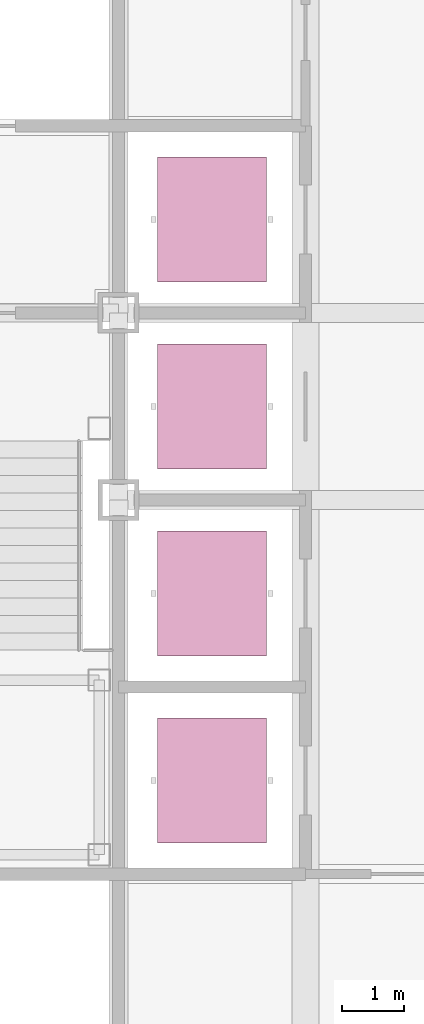
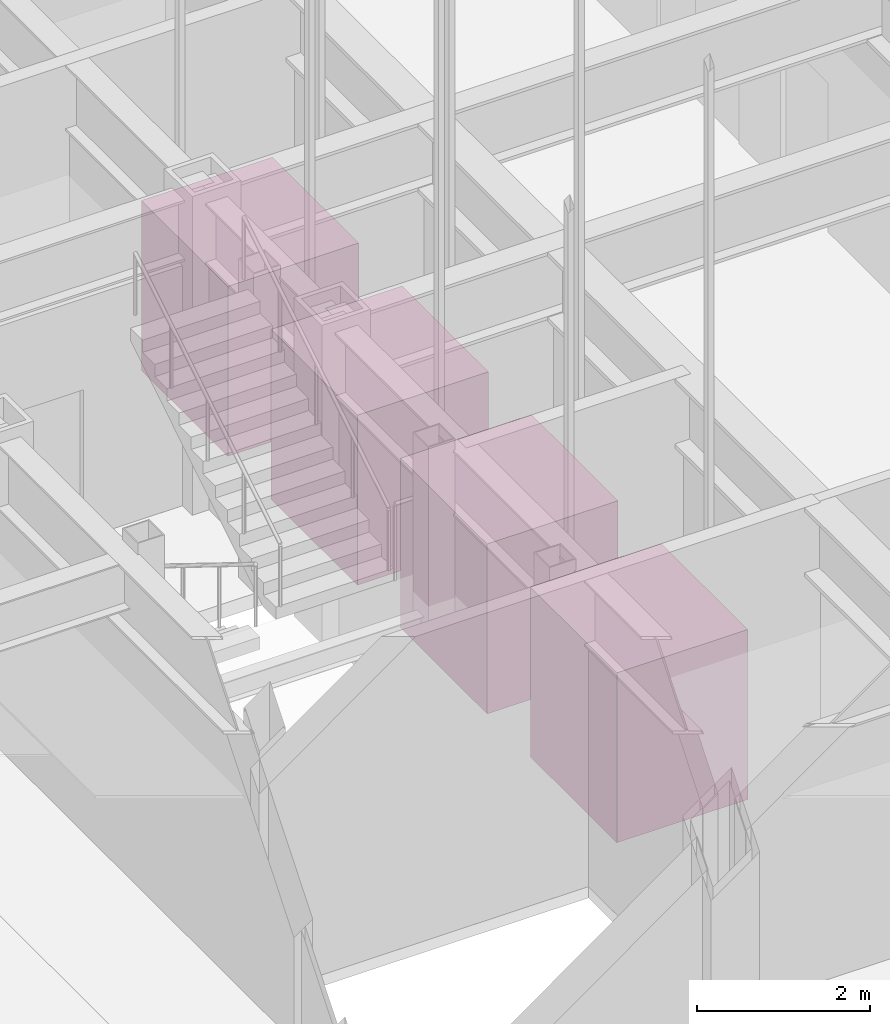
# One storey, part 16 of 24: 4 transport elements.
"""IFC4 building model written with IfcOpenShell, lengths in metres."""

from ifc_helpers import new_model, si_unit, direction, frame, origin, origin_2d, place, context, subcontext, project, spatial, rectangle, extrude, material, type_object, element, save


model = new_model("IFC4")

# Units and contexts
model_context = context("Model", 3, precision=1e-05, world=origin(), true_north=direction((0.0, 1.0)))
body_context = subcontext(model_context, "Body", "Model", "MODEL_VIEW")
ifc_project = project(units=[si_unit("LENGTHUNIT", "METRE"), si_unit("AREAUNIT", "SQUARE_METRE"), si_unit("VOLUMEUNIT", "CUBIC_METRE"), si_unit("PLANEANGLEUNIT", "RADIAN"), si_unit("MASSUNIT", "GRAM", prefix="KILO")], contexts=[model_context])

# Site, building, storey
site_placement = place(None, origin())
site = spatial("IfcSite", under=ifc_project, at=site_placement, CompositionType="ELEMENT")
building_placement = place(site_placement, origin())
building = spatial("IfcBuilding", under=site, at=building_placement, Name="Chuquiago Exchange Tower", CompositionType="ELEMENT")
storey_placement = place(building_placement, frame((0.0, 0.0, 180.0)))
storey = spatial("IfcBuildingStorey", under=building, at=storey_placement, Name="L39", CompositionType="ELEMENT", Elevation=180.0)

# Transport elements
ifc_material = material(Name="Lift car, stainless steel", Category="steel")
transport_element_type = type_object("IfcTransportElementType", Name="LP passenger lift 1600 kg", PredefinedType="ELEVATOR", material=ifc_material)
for number, where, z_axis, x_axis, name in (
    (1, (18.0, 16.5, 0.0), (0.0, 0.0, 1.0), (1.0, 0.0, 0.0), "Lift LC1"),
    (2, (18.0, 19.5, 0.0), (0.0, 0.0, 1.0), (1.0, 0.0, 0.0), "Lift LC2"),
    (3, (18.0, 22.5, 0.0), (0.0, 0.0, 1.0), (1.0, 0.0, 0.0), "Lift LC3"),
    (4, (18.0, 25.5, 0.0), (0.0, 0.0, 1.0), (1.0, 0.0, 0.0), "Lift LC4"),
):
    element("IfcTransportElement", number, at=place(storey_placement, frame(where, z_axis=z_axis, x_axis=x_axis)), inside=storey, type_object=transport_element_type, Name=name, PredefinedType="ELEVATOR", context=body_context, shape_type="SweptSolid", body=[
        extrude(rectangle(XDim=1.75, YDim=2.0, at=origin_2d()), origin(), (0.0, 0.0, 1.0), 2.39990234375),
    ])

save(model, "model.ifc")
